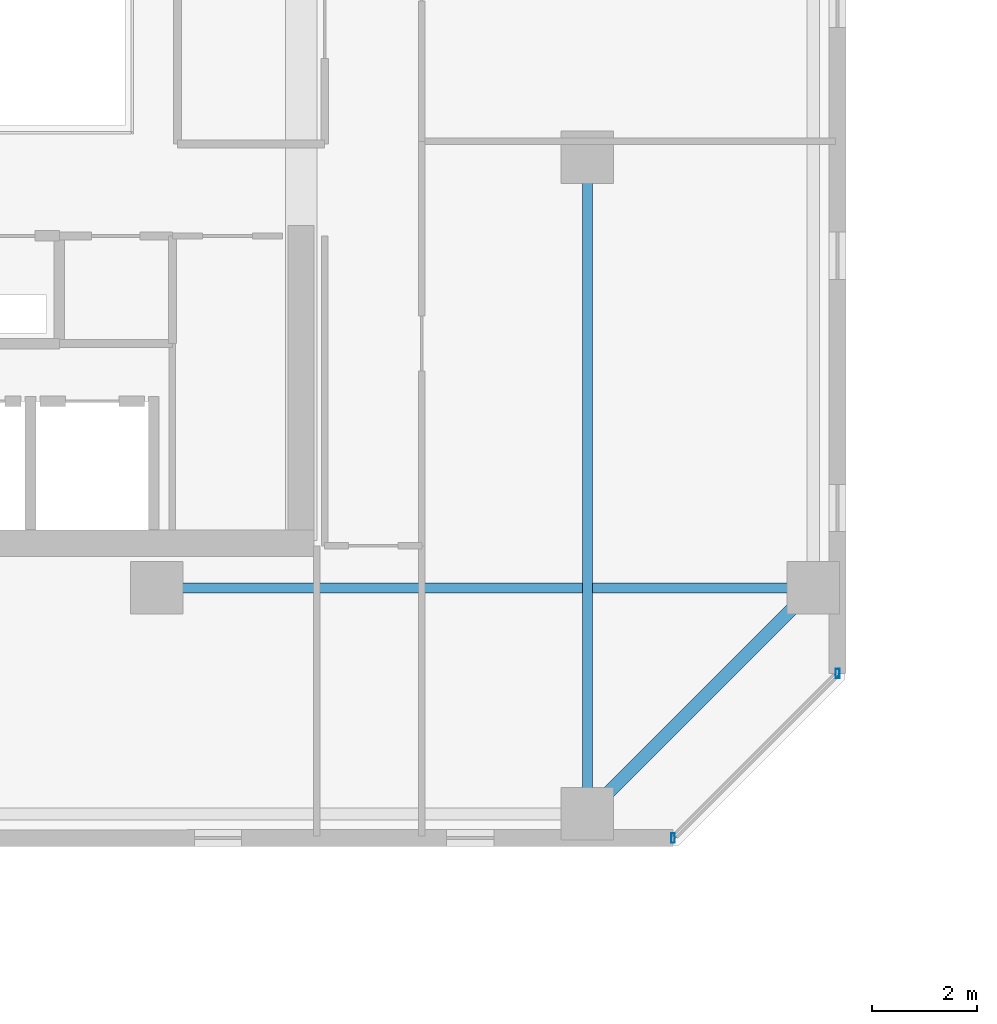
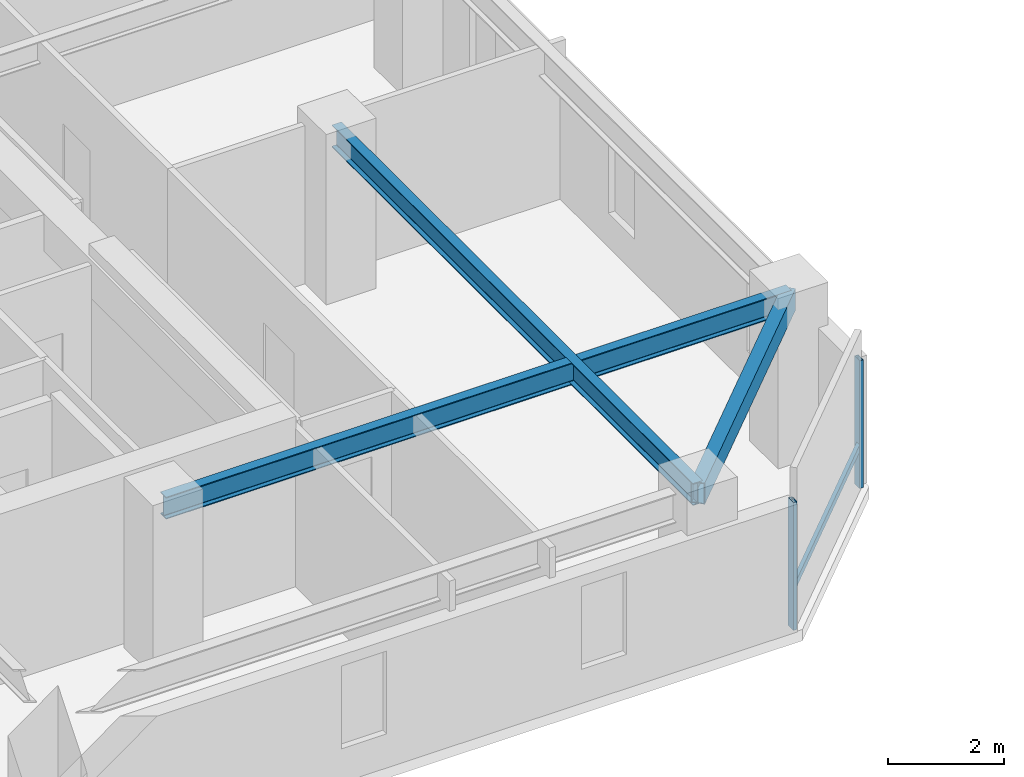
# One storey, part 5 of 33: 3 beams, 3 members, 1 element without a shape of its own.
"""IFC4 building model written with IfcOpenShell, lengths in metres."""

from ifc_helpers import new_model, si_unit, direction, frame, origin, origin_2d, place, context, subcontext, project, spatial, hollow_rectangle, i_section, extrude, material, material_profile, profile_set, type_object, element, aggregate, save


model = new_model("IFC4")

# Units and contexts
model_context = context("Model", 3, precision=1e-05, world=origin(), true_north=direction((0.0, 1.0)))
body_context = subcontext(model_context, "Body", "Model", "MODEL_VIEW")
ifc_project = project(units=[si_unit("LENGTHUNIT", "METRE"), si_unit("AREAUNIT", "SQUARE_METRE"), si_unit("VOLUMEUNIT", "CUBIC_METRE"), si_unit("PLANEANGLEUNIT", "RADIAN"), si_unit("MASSUNIT", "GRAM", prefix="KILO")], contexts=[model_context])

# Site, building, storey
site_placement = place(None, origin())
site = spatial("IfcSite", under=ifc_project, at=site_placement, CompositionType="ELEMENT")
building_placement = place(site_placement, origin())
building = spatial("IfcBuilding", under=site, at=building_placement, Name="Thornwick Lancets Civic Towers", CompositionType="ELEMENT")
storey_placement = place(building_placement, frame((0.0, 0.0, 214.5)))
storey = spatial("IfcBuildingStorey", under=building, at=storey_placement, Name="L57", CompositionType="ELEMENT", Elevation=214.5)

# Beams
ifc_material_1 = material(Name="Steel S355JR", Category="steel")
ifc_material_profile_1 = material_profile(ifc_material_1, i_section(OverallWidth=0.19287109375, OverallDepth=0.46728515625, WebThickness=0.011474609375, FlangeThickness=0.01953125, FilletRadius=0.01025390625, at=origin_2d()), Name="UKB 457x191x98")
ifc_profile_set_1 = profile_set([ifc_material_profile_1], Name="Steel S355JR")
beam_type_1 = type_object("IfcBeamType", Name="BM_JOIST_457_98", PredefinedType="JOIST", material=ifc_profile_set_1)
for number, where, z_axis, x_axis, name in (
    (1, (38.5, 22.199951171875, 3.12646484375), (0.0, -1.0, 0.0), (1.0, 0.0, 0.0), "BM-RADIN-L57-A03"),
    (2, (30.300048828125, 14.0, 3.12646484375), (1.0, 0.0, 0.0), (0.0, 1.0, 0.0), "BM-RADIN-L57-A04"),
):
    element("IfcBeam", number, at=place(storey_placement, frame(where, z_axis=z_axis, x_axis=x_axis)), inside=storey, type_object=beam_type_1, Name=name, PredefinedType="JOIST", context=body_context, shape_type="SweptSolid", body=[
        extrude(i_section(OverallWidth=0.19287109375, OverallDepth=0.46728515625, WebThickness=0.011474609375, FlangeThickness=0.01953125, FilletRadius=0.01025390625, at=origin_2d()), origin(), (0.0, 0.0, 1.0), 12.5),
    ])
ifc_material_profile_2 = material_profile(ifc_material_1, hollow_rectangle(XDim=0.25, YDim=0.449951171875, WallThickness=0.01611328125, at=origin_2d()), Name="RHS 450x250x16")
ifc_profile_set_2 = profile_set([ifc_material_profile_2], Name="Steel S355JR")
beam_type_2 = type_object("IfcBeamType", Name="BM_RING_RHS450", PredefinedType="BEAM", material=ifc_profile_set_2)
beam_placement = place(storey_placement, frame((38.5, 9.699951171875, 3.135009765625), z_axis=(0.707106781187, 0.707106781187, 0.0), x_axis=(-0.707106781187, 0.707106781187, 0.0)))
element("IfcBeam", 3, at=beam_placement, inside=storey, type_object=beam_type_2, Name="BM-CHAMF-L57-A-C0", PredefinedType="BEAM", context=body_context, shape_type="SweptSolid", body=[
    extrude(hollow_rectangle(XDim=0.25, YDim=0.449951171875, WallThickness=0.01611328125, at=origin_2d()), origin(), (0.0, 0.0, 1.0), 6.081298828125),
])

# Curtain wall, members
ifc_material_2 = material(Name="High-zone chamfered-corner unitised glass curtain wall", Category="glass")
curtain_wall_type = type_object("IfcCurtainWallType", Name="CW_SYS_05", PredefinedType="NOTDEFINED", material=ifc_material_2)
curtain_wall_placement = place(storey_placement, origin())
curtain_wall = element("IfcCurtainWall", 4, at=curtain_wall_placement, inside=storey, type_object=curtain_wall_type, Name="L57 Curtain Wall CW-L57-A-E1", PredefinedType="NOTDEFINED")
ifc_material_3 = material(Name="Thermally broken bronze aluminium S355", Category="steel")
ifc_material_profile_3 = material_profile(ifc_material_3, hollow_rectangle(XDim=0.074951171875, YDim=0.179931640625, WallThickness=0.006103515625, at=origin_2d()), Name="RHS 180x75x6")
ifc_profile_set_3 = profile_set([ifc_material_profile_3], Name="Thermally broken bronze aluminium S355")
member_type_1 = type_object("IfcMemberType", Name="CW_MUL_180", PredefinedType="MULLION", material=ifc_profile_set_3)
member_1_placement = place(storey_placement, frame((40.12939453125, 9.2373046875, 0.0), z_axis=(0.0, 0.0, 1.0), x_axis=(1.0, 0.0, 0.0)))
member_1 = element("IfcMember", 5, at=member_1_placement, type_object=member_type_1, Name="CW-L57-A-E1 Mullion 0", PredefinedType="MULLION", context=body_context, shape_type="SweptSolid", body=[
    extrude(hollow_rectangle(XDim=0.074951171875, YDim=0.179931640625, WallThickness=0.006103515625, at=origin_2d()), origin(), (0.0, 0.0, 1.0), 2.699951171875),
])
member_2_placement = place(storey_placement, frame((43.2626953125, 12.37060546875, 0.0), z_axis=(0.0, 0.0, 1.0), x_axis=(1.0, 0.0, 0.0)))
member_2 = element("IfcMember", 6, at=member_2_placement, type_object=member_type_1, Name="CW-L57-A-E1 Mullion 1", PredefinedType="MULLION", context=body_context, shape_type="SweptSolid", body=[
    extrude(hollow_rectangle(XDim=0.074951171875, YDim=0.179931640625, WallThickness=0.006103515625, at=origin_2d()), origin(), (0.0, 0.0, 1.0), 2.699951171875),
])
ifc_material_profile_4 = material_profile(ifc_material_3, hollow_rectangle(XDim=0.074951171875, YDim=0.14990234375, WallThickness=0.0048828125, at=origin_2d()), Name="RHS 150x75x5")
ifc_profile_set_4 = profile_set([ifc_material_profile_4], Name="Thermally broken bronze aluminium S355")
member_type_2 = type_object("IfcMemberType", Name="CW_TRN_150", PredefinedType="USERDEFINED", material=ifc_profile_set_4)
member_3_placement = place(storey_placement, frame((40.1435546875, 9.251220703125, 0.85009765625), z_axis=(0.707106781187, 0.707106781187, 0.0), x_axis=(-0.707106781187, 0.707106781187, 0.0)))
member_3 = element("IfcMember", 7, at=member_3_placement, type_object=member_type_2, Name="CW-L57-A-E1 Transom 0", ObjectType="TRANSOM", PredefinedType="USERDEFINED", context=body_context, shape_type="SweptSolid", body=[
    extrude(hollow_rectangle(XDim=0.074951171875, YDim=0.14990234375, WallThickness=0.0048828125, at=origin_2d()), origin(), (0.0, 0.0, 1.0), 4.391357421875),
])
aggregate(curtain_wall, [member_1, member_2, member_3])

save(model, "model.ifc")
